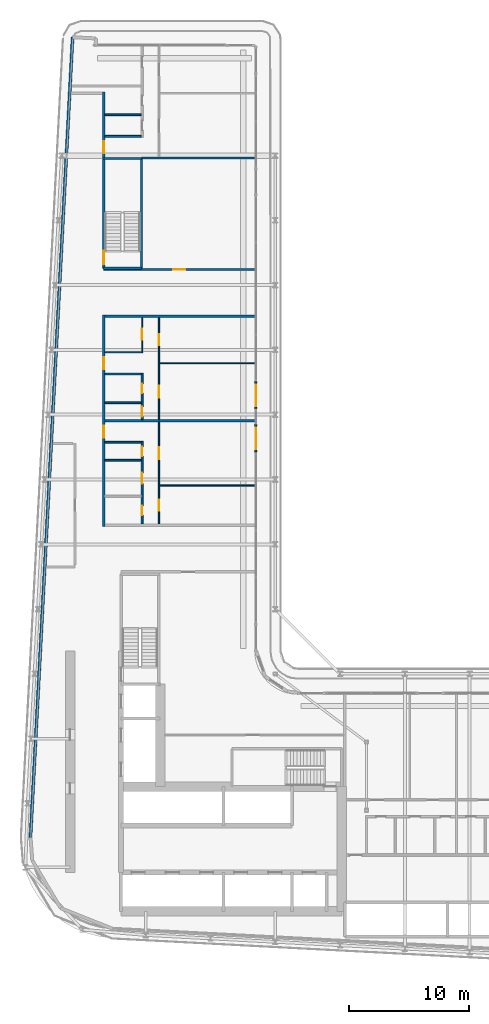
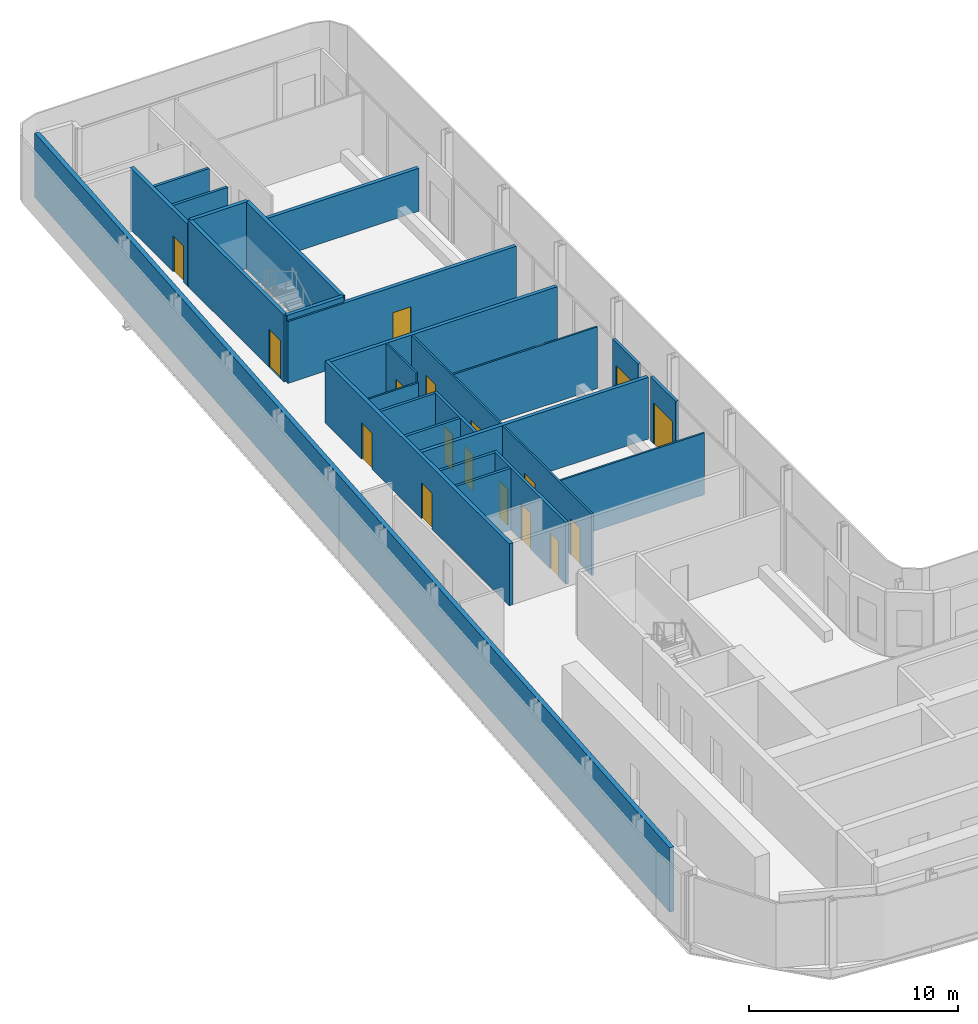
# One storey, part 17 of 27: 27 walls, 17 doors, 17 openings.
"""IFC4 building model written with IfcOpenShell, lengths in metres."""

from ifc_helpers import new_model, si_unit, direction, frame, frame_2d, origin, place, context, subcontext, project, spatial, rectangle, extrude, source, transform, mapped, material, layer, layer_set, type_object, element, fill, save


model = new_model("IFC4")

# Units and contexts
model_context = context("Model", 3, precision=1e-05, world=origin(), true_north=direction((0.0, 1.0)))
body_context = subcontext(model_context, "Body", "Model", "MODEL_VIEW")
ifc_project = project(units=[si_unit("LENGTHUNIT", "METRE"), si_unit("AREAUNIT", "SQUARE_METRE"), si_unit("VOLUMEUNIT", "CUBIC_METRE"), si_unit("PLANEANGLEUNIT", "RADIAN"), si_unit("MASSUNIT", "GRAM", prefix="KILO")], contexts=[model_context])

# Site, building, storey
site_placement = place(None, origin())
site = spatial("IfcSite", under=ifc_project, at=site_placement, CompositionType="ELEMENT")
building_placement = place(site_placement, origin())
building = spatial("IfcBuilding", under=site, at=building_placement, Name="Kheshtan School and Residences Tower", CompositionType="ELEMENT")
storey_placement = place(building_placement, frame((0.0, 0.0, 152.60009765625)))
storey = spatial("IfcBuildingStorey", under=building, at=storey_placement, Name="L35", CompositionType="ELEMENT", Elevation=152.60009765625)

# Wall, openings, doors
ifc_material_1 = material(Name="Gypsum board on steel studs with fire boards", Category="steel")
ifc_layer_1 = layer(ifc_material_1, 0.199951171875)
ifc_layer_set_1 = layer_set([ifc_layer_1], Name="Corridor wall 200")
wall_type_1 = type_object("IfcWallType", Name="Corridor wall 200", PredefinedType="PARTITIONING", material=ifc_layer_set_1)
wall_1_placement = place(storey_placement, frame((33.300048828125, 57.89990234375, 0.0), z_axis=(0.0, 0.0, 1.0), x_axis=(0.0, 1.0, 0.0)))
wall_1 = element("IfcWall", 1, at=wall_1_placement, inside=storey, type_object=wall_type_1, Name="Partition L35-003", PredefinedType="PARTITIONING", context=body_context, shape_type="SweptSolid", body=[
    extrude(rectangle(XDim=17.60009765625, YDim=0.199951171875, at=frame_2d((8.800048828125, 0.0))), origin(), (0.0, 0.0, 1.0), 3.599853515625),
])
opening_1_placement = place(wall_1_placement, frame((7.39990234375, 0.0, 0.0)))
opening_1 = element("IfcOpeningElement", 2, at=opening_1_placement, cuts=wall_1, Name="Opening D35-028", PredefinedType="OPENING", context=body_context, shape_type="SweptSolid", body=[
    extrude(rectangle(XDim=1.0, YDim=2.10009765625, at=frame_2d((0.5, 1.050048828125))), frame((0.0, 0.10986328125, 0.0), z_axis=(0.0, -1.0, 0.0), x_axis=(1.0, 0.0, 0.0)), (0.0, 0.0, 1.0), 0.219970703125),
])
opening_2_placement = place(wall_1_placement, frame((13.10009765625, 0.0, 0.0)))
opening_2 = element("IfcOpeningElement", 3, at=opening_2_placement, cuts=wall_1, Name="Opening D35-034", PredefinedType="OPENING", context=body_context, shape_type="SweptSolid", body=[
    extrude(rectangle(XDim=1.0, YDim=2.10009765625, at=frame_2d((0.5, 1.050048828125))), frame((0.0, 0.10986328125, 0.0), z_axis=(0.0, -1.0, 0.0), x_axis=(1.0, 0.0, 0.0)), (0.0, 0.0, 1.0), 0.219970703125),
])
ifc_material_2 = material(Name="Steel-framed fire-resisting door leaf", Category="steel")
door_type_1 = type_object("IfcDoorType", Name="Fire door FD30S 1000 x 2100", OperationType="SINGLE_SWING_LEFT", PredefinedType="DOOR", material=ifc_material_2)
shared_shape_1 = source(origin(), body_context, "Body", "SweptSolid", [
    extrude(rectangle(XDim=1.0, YDim=2.10009765625, at=frame_2d((0.5, 1.050048828125))), frame((0.0, 0.02490234375, 0.0), z_axis=(0.0, -1.0, 0.0), x_axis=(1.0, 0.0, 0.0)), (0.0, 0.0, 1.0), 0.050048828125),
])
door_1_placement = place(opening_1_placement, origin())
door_1 = element("IfcDoor", 4, at=door_1_placement, inside=storey, type_object=door_type_1, Name="Door D35-028", OperationType="SINGLE_SWING_LEFT", OverallHeight=2.10009765625, OverallWidth=1.0, PredefinedType="DOOR", context=body_context, shape_type="MappedRepresentation", body=[
    mapped(shared_shape_1, transform((0.0, 0.0, 0.0), x_axis=(1.0, 0.0, 0.0), y_axis=(0.0, 1.0, 0.0), z_axis=(0.0, 0.0, 1.0), scale=1.0)),
])
fill(opening_1, door_1)
door_2_placement = place(opening_2_placement, origin())
door_2 = element("IfcDoor", 5, at=door_2_placement, inside=storey, type_object=door_type_1, Name="Door D35-034", OperationType="SINGLE_SWING_RIGHT", OverallHeight=2.10009765625, OverallWidth=1.0, PredefinedType="DOOR", context=body_context, shape_type="MappedRepresentation", body=[
    mapped(shared_shape_1, transform((0.0, 0.0, 0.0), x_axis=(1.0, 0.0, 0.0), y_axis=(0.0, 1.0, 0.0), z_axis=(0.0, 0.0, 1.0), scale=1.0)),
])
fill(opening_2, door_2)

# Wall, opening, door
wall_2_placement = place(storey_placement, frame((33.300048828125, 79.300048828125, 0.0), z_axis=(0.0, 0.0, 1.0), x_axis=(1.0, 0.0, 0.0)))
wall_2 = element("IfcWall", 6, at=wall_2_placement, inside=storey, type_object=wall_type_1, Name="Partition L35-004", PredefinedType="PARTITIONING", context=body_context, shape_type="SweptSolid", body=[
    extrude(rectangle(XDim=12.599853515625, YDim=0.199951171875, at=frame_2d((6.2998046875, 0.0))), origin(), (0.0, 0.0, 1.0), 3.599853515625),
])
opening_3_placement = place(wall_2_placement, frame((5.794921875, 0.0, 0.0)))
opening_3 = element("IfcOpeningElement", 7, at=opening_3_placement, cuts=wall_2, Name="Opening D35-046", PredefinedType="OPENING", context=body_context, shape_type="SweptSolid", body=[
    extrude(rectangle(XDim=1.0, YDim=2.10009765625, at=frame_2d((0.5, 1.050048828125))), frame((0.0, 0.10986328125, 0.0), z_axis=(0.0, -1.0, 0.0), x_axis=(1.0, 0.0, 0.0)), (0.0, 0.0, 1.0), 0.219970703125),
])
door_type_2 = type_object("IfcDoorType", Name="Fire door FD60 1000 x 2100", OperationType="SINGLE_SWING_LEFT", PredefinedType="DOOR", material=ifc_material_2)
shared_shape_2 = source(origin(), body_context, "Body", "SweptSolid", [
    extrude(rectangle(XDim=1.0, YDim=2.10009765625, at=frame_2d((0.5, 1.050048828125))), frame((0.0, 0.02490234375, 0.0), z_axis=(0.0, -1.0, 0.0), x_axis=(1.0, 0.0, 0.0)), (0.0, 0.0, 1.0), 0.050048828125),
])
door_3_placement = place(opening_3_placement, origin())
door_3 = element("IfcDoor", 8, at=door_3_placement, inside=storey, type_object=door_type_2, Name="Door D35-046", OperationType="SINGLE_SWING_RIGHT", OverallHeight=2.10009765625, OverallWidth=1.0, PredefinedType="DOOR", context=body_context, shape_type="MappedRepresentation", body=[
    mapped(shared_shape_2, transform((0.0, 0.0, 0.0), x_axis=(1.0, 0.0, 0.0), y_axis=(0.0, 1.0, 0.0), z_axis=(0.0, 0.0, 1.0), scale=1.0)),
])
fill(opening_3, door_3)

wall_3_placement = place(storey_placement, frame((33.300048828125, 88.60009765625, 0.0), z_axis=(0.0, 0.0, 1.0), x_axis=(0.0, 1.0, 0.0)))
wall_3 = element("IfcWall", 9, at=wall_3_placement, inside=storey, type_object=wall_type_1, Name="Partition L35-005", PredefinedType="PARTITIONING", context=body_context, shape_type="SweptSolid", body=[
    extrude(rectangle(XDim=5.5, YDim=0.199951171875, at=frame_2d((2.75, 0.0))), origin(), (0.0, 0.0, 1.0), 3.599853515625),
])
opening_4_placement = place(wall_3_placement, frame((0.39990234375, 0.0, 0.0)))
opening_4 = element("IfcOpeningElement", 10, at=opening_4_placement, cuts=wall_3, Name="Opening D35-040", PredefinedType="OPENING", context=body_context, shape_type="SweptSolid", body=[
    extrude(rectangle(XDim=1.0, YDim=2.10009765625, at=frame_2d((0.5, 1.050048828125))), frame((0.0, 0.10986328125, 0.0), z_axis=(0.0, -1.0, 0.0), x_axis=(1.0, 0.0, 0.0)), (0.0, 0.0, 1.0), 0.219970703125),
])
door_4_placement = place(opening_4_placement, origin())
door_4 = element("IfcDoor", 11, at=door_4_placement, inside=storey, type_object=door_type_1, Name="Door D35-040", OperationType="SINGLE_SWING_LEFT", OverallHeight=2.10009765625, OverallWidth=1.0, PredefinedType="DOOR", context=body_context, shape_type="MappedRepresentation", body=[
    mapped(shared_shape_1, transform((0.0, 0.0, 0.0), x_axis=(1.0, 0.0, 0.0), y_axis=(0.0, 1.0, 0.0), z_axis=(0.0, 0.0, 1.0), scale=1.0)),
])
fill(opening_4, door_4)

# Walls
wall_4_placement = place(storey_placement, frame((33.39990234375, 75.39990234375, 0.0), z_axis=(0.0, 0.0, 1.0), x_axis=(1.0, 0.0, 0.0)))
element("IfcWall", 12, at=wall_4_placement, inside=storey, type_object=wall_type_1, Name="Partition L35-014", PredefinedType="PARTITIONING", context=body_context, shape_type="SweptSolid", body=[
    extrude(rectangle(XDim=12.5, YDim=0.199951171875, at=frame_2d((6.25, 0.0))), origin(), (0.0, 0.0, 1.0), 3.599853515625),
])
ifc_material_3 = material(Name="Concrete C40/50 with ceramic cladding and mineral wool insulation", Category="concrete")
ifc_layer_2 = layer(ifc_material_3, 0.25)
ifc_layer_set_2 = layer_set([ifc_layer_2], Name="External wall 250 ceramic clad")
wall_type_2 = type_object("IfcWallType", Name="External wall 250 ceramic clad", PredefinedType="SOLIDWALL", material=ifc_layer_set_2)
wall_5_placement = place(storey_placement, frame((27.195068359375, 31.968994140625, 0.0), z_axis=(0.0, 0.0, 1.0), x_axis=(0.052554995867, 0.998618031286, 0.0)))
element("IfcWall", 13, at=wall_5_placement, inside=storey, type_object=wall_type_2, Name="External wall L35 4", PredefinedType="SOLIDWALL", context=body_context, shape_type="SweptSolid", body=[
    extrude(rectangle(XDim=66.787353515625, YDim=0.25, at=frame_2d((33.3935546875, 0.0))), origin(), (0.0, 0.0, 1.0), 3.75),
])

# Wall, opening, door
ifc_material_4 = material(Name="Aluminium frame wall with insulated infill", Category="aluminium")
ifc_layer_3 = layer(ifc_material_4, 0.14990234375)
ifc_layer_set_3 = layer_set([ifc_layer_3], Name="Glazing frame wall 150")
wall_type_3 = type_object("IfcWallType", Name="Glazing frame wall 150", PredefinedType="SOLIDWALL", material=ifc_layer_set_3)
wall_6_placement = place(storey_placement, frame((45.97509765625, 70.01806640625, 0.0), z_axis=(0.0, 0.0, 1.0), x_axis=(0.0, -1.0, 0.0)))
wall_6 = element("IfcWall", 14, at=wall_6_placement, inside=storey, type_object=wall_type_3, Name="Balcony door wall L35 8.3", PredefinedType="SOLIDWALL", context=body_context, shape_type="SweptSolid", body=[
    extrude(rectangle(XDim=2.400146484375, YDim=0.14990234375, at=frame_2d((1.2001953125, 0.0))), origin(), (0.0, 0.0, 1.0), 3.75),
])
opening_5_placement = place(wall_6_placement, frame((0.300048828125, 0.0, 0.0)))
opening_5 = element("IfcOpeningElement", 15, at=opening_5_placement, cuts=wall_6, Name="Opening BD", PredefinedType="OPENING", context=body_context, shape_type="SweptSolid", body=[
    extrude(rectangle(XDim=1.800048828125, YDim=2.39990234375, at=frame_2d((0.89990234375, 1.199951171875))), frame((0.0, 0.0849609375, 0.0), z_axis=(0.0, -1.0, 0.0), x_axis=(1.0, 0.0, 0.0)), (0.0, 0.0, 1.0), 0.169921875),
])
ifc_material_5 = material(Name="Clear low-e glass in thermally broken aluminium frame", Category="aluminium")
door_type_3 = type_object("IfcDoorType", Name="Balcony sliding door", OperationType="SLIDING_TO_LEFT", PredefinedType="DOOR", material=ifc_material_5)
shared_shape_3 = source(origin(), body_context, "Body", "SweptSolid", [
    extrude(rectangle(XDim=1.800048828125, YDim=2.39990234375, at=frame_2d((0.89990234375, 1.199951171875))), frame((0.0, 0.02490234375, 0.0), z_axis=(0.0, -1.0, 0.0), x_axis=(1.0, 0.0, 0.0)), (0.0, 0.0, 1.0), 0.050048828125),
])
door_5_placement = place(opening_5_placement, origin())
door_5 = element("IfcDoor", 16, at=door_5_placement, inside=storey, type_object=door_type_3, Name="Balcony door L35 8.3", OperationType="SLIDING_TO_LEFT", OverallHeight=2.39990234375, OverallWidth=1.800048828125, PredefinedType="DOOR", context=body_context, shape_type="MappedRepresentation", body=[
    mapped(shared_shape_3, transform((0.0, 0.0, 0.0), x_axis=(1.0, 0.0, 0.0), y_axis=(0.0, 1.0, 0.0), z_axis=(0.0, 0.0, 1.0), scale=1.0)),
])
fill(opening_5, door_5)

wall_7_placement = place(storey_placement, frame((45.97509765625, 66.41796875, 0.0), z_axis=(0.0, 0.0, 1.0), x_axis=(0.0, -1.0, 0.0)))
wall_7 = element("IfcWall", 17, at=wall_7_placement, inside=storey, type_object=wall_type_3, Name="Balcony door wall L35 8.4", PredefinedType="SOLIDWALL", context=body_context, shape_type="SweptSolid", body=[
    extrude(rectangle(XDim=2.39990234375, YDim=0.14990234375, at=frame_2d((1.199951171875, 0.0))), origin(), (0.0, 0.0, 1.0), 3.75),
])
opening_6_placement = place(wall_7_placement, frame((0.300048828125, 0.0, 0.0)))
opening_6 = element("IfcOpeningElement", 18, at=opening_6_placement, cuts=wall_7, Name="Opening BD", PredefinedType="OPENING", context=body_context, shape_type="SweptSolid", body=[
    extrude(rectangle(XDim=1.800048828125, YDim=2.39990234375, at=frame_2d((0.89990234375, 1.199951171875))), frame((0.0, 0.0849609375, 0.0), z_axis=(0.0, -1.0, 0.0), x_axis=(1.0, 0.0, 0.0)), (0.0, 0.0, 1.0), 0.169921875),
])
door_6_placement = place(opening_6_placement, origin())
door_6 = element("IfcDoor", 19, at=door_6_placement, inside=storey, type_object=door_type_3, Name="Balcony door L35 8.4", OperationType="SLIDING_TO_LEFT", OverallHeight=2.39990234375, OverallWidth=1.800048828125, PredefinedType="DOOR", context=body_context, shape_type="MappedRepresentation", body=[
    mapped(shared_shape_3, transform((0.0, 0.0, 0.0), x_axis=(1.0, 0.0, 0.0), y_axis=(0.0, 1.0, 0.0), z_axis=(0.0, 0.0, 1.0), scale=1.0)),
])
fill(opening_6, door_6)

# Wall
ifc_material_6 = material(Name="Gypsum board on steel studs", Category="steel")
ifc_layer_4 = layer(ifc_material_6, 0.10009765625)
ifc_layer_set_4 = layer_set([ifc_layer_4], Name="Gypsum partition 100")
wall_type_4 = type_object("IfcWallType", Name="Gypsum partition 100", PredefinedType="PARTITIONING", material=ifc_layer_set_4)
wall_8_placement = place(storey_placement, frame((33.39990234375, 72.39990234375, 0.0), z_axis=(0.0, 0.0, 1.0), x_axis=(1.0, 0.0, 0.0)))
element("IfcWall", 20, at=wall_8_placement, inside=storey, type_object=wall_type_4, Name="Partition L35-013", PredefinedType="PARTITIONING", context=body_context, shape_type="SweptSolid", body=[
    extrude(rectangle(XDim=3.150146484375, YDim=0.10009765625, at=frame_2d((1.5751953125, 0.0))), origin(), (0.0, 0.0, 1.0), 3.072021484375),
])

# Wall, opening, door
wall_9_placement = place(storey_placement, frame((36.5, 72.449951171875, 0.0), z_axis=(0.0, 0.0, 1.0), x_axis=(0.0, 1.0, 0.0)))
wall_9 = element("IfcWall", 21, at=wall_9_placement, inside=storey, type_object=wall_type_4, Name="Partition L35-020", PredefinedType="PARTITIONING", context=body_context, shape_type="SweptSolid", body=[
    extrude(rectangle(XDim=2.85009765625, YDim=0.10009765625, at=frame_2d((1.425048828125, 0.0))), origin(), (0.0, 0.0, 1.0), 3.599853515625),
])
opening_7_placement = place(wall_9_placement, frame((1.0, 0.0, 0.0)))
opening_7 = element("IfcOpeningElement", 22, at=opening_7_placement, cuts=wall_9, Name="Opening D35-035", PredefinedType="OPENING", context=body_context, shape_type="SweptSolid", body=[
    extrude(rectangle(XDim=0.89990234375, YDim=2.10009765625, at=frame_2d((0.449951171875, 1.050048828125))), frame((0.0, 0.06005859375, 0.0), z_axis=(0.0, -1.0, 0.0), x_axis=(1.0, 0.0, 0.0)), (0.0, 0.0, 1.0), 0.1201171875),
])
ifc_material_7 = material(Name="Veneered timber door leaf", Category="wood")
door_type_4 = type_object("IfcDoorType", Name="Door 900 x 2100", OperationType="SINGLE_SWING_LEFT", PredefinedType="DOOR", material=ifc_material_7)
shared_shape_4 = source(origin(), body_context, "Body", "SweptSolid", [
    extrude(rectangle(XDim=0.89990234375, YDim=2.10009765625, at=frame_2d((0.449951171875, 1.050048828125))), frame((0.0, 0.02490234375, 0.0), z_axis=(0.0, -1.0, 0.0), x_axis=(1.0, 0.0, 0.0)), (0.0, 0.0, 1.0), 0.050048828125),
])
door_7_placement = place(opening_7_placement, origin())
door_7 = element("IfcDoor", 23, at=door_7_placement, inside=storey, type_object=door_type_4, Name="Door D35-035", OperationType="SINGLE_SWING_RIGHT", OverallHeight=2.10009765625, OverallWidth=0.89990234375, PredefinedType="DOOR", context=body_context, shape_type="MappedRepresentation", body=[
    mapped(shared_shape_4, transform((0.0, 0.0, 0.0), x_axis=(1.0, 0.0, 0.0), y_axis=(0.0, 1.0, 0.0), z_axis=(0.0, 0.0, 1.0), scale=1.0)),
])
fill(opening_7, door_7)

# Wall, openings, doors
wall_10_placement = place(storey_placement, frame((37.89990234375, 58.10009765625, 0.0), z_axis=(0.0, 0.0, 1.0), x_axis=(0.0, 1.0, 0.0)))
wall_10 = element("IfcWall", 24, at=wall_10_placement, inside=storey, type_object=wall_type_4, Name="Partition L35-023", PredefinedType="PARTITIONING", context=body_context, shape_type="SweptSolid", body=[
    extrude(rectangle(XDim=8.5, YDim=0.10009765625, at=frame_2d((4.25, 0.0))), origin(), (0.0, 0.0, 1.0), 3.599853515625),
])
opening_8_placement = place(wall_10_placement, frame((1.10009765625, 0.0, 0.0)))
opening_8 = element("IfcOpeningElement", 25, at=opening_8_placement, cuts=wall_10, Name="Opening D35-027", PredefinedType="OPENING", context=body_context, shape_type="SweptSolid", body=[
    extrude(rectangle(XDim=0.89990234375, YDim=2.10009765625, at=frame_2d((0.449951171875, 1.050048828125))), frame((0.0, 0.06005859375, 0.0), z_axis=(0.0, -1.0, 0.0), x_axis=(1.0, 0.0, 0.0)), (0.0, 0.0, 1.0), 0.1201171875),
])
opening_9_placement = place(wall_10_placement, frame((5.39990234375, 0.0, 0.0)))
opening_9 = element("IfcOpeningElement", 26, at=opening_9_placement, cuts=wall_10, Name="Opening D35-030", PredefinedType="OPENING", context=body_context, shape_type="SweptSolid", body=[
    extrude(rectangle(XDim=1.0, YDim=2.10009765625, at=frame_2d((0.5, 1.050048828125))), frame((0.0, 0.06005859375, 0.0), z_axis=(0.0, -1.0, 0.0), x_axis=(1.0, 0.0, 0.0)), (0.0, 0.0, 1.0), 0.1201171875),
])
door_type_5 = type_object("IfcDoorType", Name="Door 1000 x 2100", OperationType="SINGLE_SWING_LEFT", PredefinedType="DOOR", material=ifc_material_7)
shared_shape_5 = source(origin(), body_context, "Body", "SweptSolid", [
    extrude(rectangle(XDim=1.0, YDim=2.10009765625, at=frame_2d((0.5, 1.050048828125))), frame((0.0, 0.02490234375, 0.0), z_axis=(0.0, -1.0, 0.0), x_axis=(1.0, 0.0, 0.0)), (0.0, 0.0, 1.0), 0.050048828125),
])
door_8_placement = place(opening_9_placement, origin())
door_8 = element("IfcDoor", 27, at=door_8_placement, inside=storey, type_object=door_type_5, Name="Door D35-030", OperationType="SINGLE_SWING_RIGHT", OverallHeight=2.10009765625, OverallWidth=1.0, PredefinedType="DOOR", context=body_context, shape_type="MappedRepresentation", body=[
    mapped(shared_shape_5, transform((0.0, 0.0, 0.0), x_axis=(1.0, 0.0, 0.0), y_axis=(0.0, 1.0, 0.0), z_axis=(0.0, 0.0, 1.0), scale=1.0)),
])
fill(opening_9, door_8)
door_9_placement = place(opening_8_placement, origin())
door_9 = element("IfcDoor", 28, at=door_9_placement, inside=storey, type_object=door_type_4, Name="Door D35-027", OperationType="SINGLE_SWING_LEFT", OverallHeight=2.10009765625, OverallWidth=0.89990234375, PredefinedType="DOOR", context=body_context, shape_type="MappedRepresentation", body=[
    mapped(shared_shape_4, transform((0.0, 0.0, 0.0), x_axis=(1.0, 0.0, 0.0), y_axis=(0.0, 1.0, 0.0), z_axis=(0.0, 0.0, 1.0), scale=1.0)),
])
fill(opening_8, door_9)

wall_11_placement = place(storey_placement, frame((37.89990234375, 66.800048828125, 0.0), z_axis=(0.0, 0.0, 1.0), x_axis=(0.0, 1.0, 0.0)))
wall_11 = element("IfcWall", 29, at=wall_11_placement, inside=storey, type_object=wall_type_4, Name="Partition L35-024", PredefinedType="PARTITIONING", context=body_context, shape_type="SweptSolid", body=[
    extrude(rectangle(XDim=8.5, YDim=0.10009765625, at=frame_2d((4.25, 0.0))), origin(), (0.0, 0.0, 1.0), 3.599853515625),
])
opening_10_placement = place(wall_11_placement, frame((6.199951171875, 0.0, 0.0)))
opening_10 = element("IfcOpeningElement", 30, at=opening_10_placement, cuts=wall_11, Name="Opening D35-033", PredefinedType="OPENING", context=body_context, shape_type="SweptSolid", body=[
    extrude(rectangle(XDim=0.89990234375, YDim=2.10009765625, at=frame_2d((0.449951171875, 1.050048828125))), frame((0.0, 0.06005859375, 0.0), z_axis=(0.0, -1.0, 0.0), x_axis=(1.0, 0.0, 0.0)), (0.0, 0.0, 1.0), 0.1201171875),
])
opening_11_placement = place(wall_11_placement, frame((1.800048828125, 0.0, 0.0)))
opening_11 = element("IfcOpeningElement", 31, at=opening_11_placement, cuts=wall_11, Name="Opening D35-036", PredefinedType="OPENING", context=body_context, shape_type="SweptSolid", body=[
    extrude(rectangle(XDim=1.0, YDim=2.10009765625, at=frame_2d((0.5, 1.050048828125))), frame((0.0, 0.06005859375, 0.0), z_axis=(0.0, -1.0, 0.0), x_axis=(1.0, 0.0, 0.0)), (0.0, 0.0, 1.0), 0.1201171875),
])
door_10_placement = place(opening_11_placement, origin())
door_10 = element("IfcDoor", 32, at=door_10_placement, inside=storey, type_object=door_type_5, Name="Door D35-036", OperationType="SINGLE_SWING_RIGHT", OverallHeight=2.10009765625, OverallWidth=1.0, PredefinedType="DOOR", context=body_context, shape_type="MappedRepresentation", body=[
    mapped(shared_shape_5, transform((0.0, 0.0, 0.0), x_axis=(1.0, 0.0, 0.0), y_axis=(0.0, 1.0, 0.0), z_axis=(0.0, 0.0, 1.0), scale=1.0)),
])
fill(opening_11, door_10)
door_11_placement = place(opening_10_placement, origin())
door_11 = element("IfcDoor", 33, at=door_11_placement, inside=storey, type_object=door_type_4, Name="Door D35-033", OperationType="SINGLE_SWING_RIGHT", OverallHeight=2.10009765625, OverallWidth=0.89990234375, PredefinedType="DOOR", context=body_context, shape_type="MappedRepresentation", body=[
    mapped(shared_shape_4, transform((0.0, 0.0, 0.0), x_axis=(1.0, 0.0, 0.0), y_axis=(0.0, 1.0, 0.0), z_axis=(0.0, 0.0, 1.0), scale=1.0)),
])
fill(opening_10, door_11)

# Walls
for number, where, z_axis, x_axis, name in (
    (34, (37.949951171875, 61.300048828125, 0.0), (0.0, 0.0, 1.0), (1.0, 0.0, 0.0), "Partition L35-026"),
    (35, (37.949951171875, 71.5, 0.0), (0.0, 0.0, 1.0), (1.0, 0.0, 0.0), "Partition L35-027"),
):
    element("IfcWall", number, at=place(storey_placement, frame(where, z_axis=z_axis, x_axis=x_axis)), inside=storey, type_object=wall_type_4, Name=name, PredefinedType="PARTITIONING", context=body_context, shape_type="SweptSolid", body=[
        extrude(rectangle(XDim=7.949951171875, YDim=0.10009765625, at=frame_2d((3.97509765625, 0.0))), origin(), (0.0, 0.0, 1.0), 3.599853515625),
    ])
ifc_material_8 = material(Name="Concrete C40/50", Category="concrete")
ifc_layer_5 = layer(ifc_material_8, 0.199951171875)
ifc_layer_set_5 = layer_set([ifc_layer_5], Name="Stair enclosure wall 200 Concrete C40/50")
wall_type_5 = type_object("IfcWallType", Name="Stair enclosure wall 200 Concrete C40/50", PredefinedType="SHEAR", material=ifc_layer_set_5)
for number, where, z_axis, x_axis, name in (
    (36, (33.300048828125, 79.39990234375, 0.0), (0.0, 0.0, 1.0), (1.0, 0.0, 0.0), "Stair enclosure wall ST3"),
    (37, (33.300048828125, 88.56005859375, 0.0), (0.0, 0.0, 1.0), (1.0, 0.0, 0.0), "Stair enclosure wall ST3"),
):
    element("IfcWall", number, at=place(storey_placement, frame(where, z_axis=z_axis, x_axis=x_axis)), inside=storey, type_object=wall_type_5, Name=name, PredefinedType="SHEAR", context=body_context, shape_type="SweptSolid", body=[
        extrude(rectangle(XDim=3.14990234375, YDim=0.199951171875, at=frame_2d((1.574951171875, 0.0))), origin(), (0.0, 0.0, 1.0), 3.89990234375),
    ])

# Wall, opening, door
wall_12_placement = place(storey_placement, frame((33.300048828125, 79.39990234375, 0.0), z_axis=(0.0, 0.0, 1.0), x_axis=(0.0, 1.0, 0.0)))
wall_12 = element("IfcWall", 38, at=wall_12_placement, inside=storey, type_object=wall_type_5, Name="Stair enclosure wall ST3", PredefinedType="SHEAR", context=body_context, shape_type="SweptSolid", body=[
    extrude(rectangle(XDim=9.16015625, YDim=0.199951171875, at=frame_2d((4.580078125, 0.0))), origin(), (0.0, 0.0, 1.0), 3.89990234375),
])
opening_12_placement = place(wall_12_placement, frame((0.35009765625, 0.0, 0.0)))
opening_12 = element("IfcOpeningElement", 39, at=opening_12_placement, cuts=wall_12, Name="Opening ST3D", PredefinedType="OPENING", context=body_context, shape_type="SweptSolid", body=[
    extrude(rectangle(XDim=1.10009765625, YDim=2.199951171875, at=frame_2d((0.550048828125, 1.10009765625))), frame((0.0, 0.10986328125, 0.0), z_axis=(0.0, -1.0, 0.0), x_axis=(1.0, 0.0, 0.0)), (0.0, 0.0, 1.0), 0.219970703125),
])
ifc_material_9 = material(Name="Steel door leaf, galvanised", Category="steel")
door_type_6 = type_object("IfcDoorType", Name="Stair door 1100 steel 90 min", OperationType="SINGLE_SWING_LEFT", PredefinedType="DOOR", material=ifc_material_9)
shared_shape_6 = source(origin(), body_context, "Body", "SweptSolid", [
    extrude(rectangle(XDim=1.10009765625, YDim=2.199951171875, at=frame_2d((0.550048828125, 1.10009765625))), frame((0.0, 0.02490234375, 0.0), z_axis=(0.0, -1.0, 0.0), x_axis=(1.0, 0.0, 0.0)), (0.0, 0.0, 1.0), 0.050048828125),
])
door_12_placement = place(opening_12_placement, origin())
door_12 = element("IfcDoor", 40, at=door_12_placement, inside=storey, type_object=door_type_6, Name="Stair ST3 door", OperationType="SINGLE_SWING_RIGHT", OverallHeight=2.199951171875, OverallWidth=1.10009765625, PredefinedType="DOOR", context=body_context, shape_type="MappedRepresentation", body=[
    mapped(shared_shape_6, transform((0.0, 0.0, 0.0), x_axis=(1.0, 0.0, 0.0), y_axis=(0.0, 1.0, 0.0), z_axis=(0.0, 0.0, 1.0), scale=1.0)),
])
fill(opening_12, door_12)

# Walls
wall_13_placement = place(storey_placement, frame((36.449951171875, 79.39990234375, 0.0), z_axis=(0.0, 0.0, 1.0), x_axis=(0.0, 1.0, 0.0)))
element("IfcWall", 41, at=wall_13_placement, inside=storey, type_object=wall_type_5, Name="Stair enclosure wall ST3", PredefinedType="SHEAR", context=body_context, shape_type="SweptSolid", body=[
    extrude(rectangle(XDim=9.16015625, YDim=0.199951171875, at=frame_2d((4.580078125, 0.0))), origin(), (0.0, 0.0, 1.0), 3.89990234375),
])
ifc_material_10 = material(Name="Twin gypsum board on steel studs with mineral wool", Category="steel")
ifc_layer_6 = layer(ifc_material_10, 0.199951171875)
ifc_layer_set_6 = layer_set([ifc_layer_6], Name="Unit demising wall 200")
wall_type_6 = type_object("IfcWallType", Name="Unit demising wall 200", PredefinedType="PARTITIONING", material=ifc_layer_set_6)
wall_14_placement = place(storey_placement, frame((33.39990234375, 66.699951171875, 0.0), z_axis=(0.0, 0.0, 1.0), x_axis=(1.0, 0.0, 0.0)))
element("IfcWall", 42, at=wall_14_placement, inside=storey, type_object=wall_type_6, Name="Partition L35-010", PredefinedType="PARTITIONING", context=body_context, shape_type="SweptSolid", body=[
    extrude(rectangle(XDim=12.5, YDim=0.199951171875, at=frame_2d((6.25, 0.0))), origin(), (0.0, 0.0, 1.0), 3.599853515625),
])
wall_15_placement = place(storey_placement, frame((36.449951171875, 88.60009765625, 0.0), z_axis=(0.0, 0.0, 1.0), x_axis=(1.0, 0.0, 0.0)))
element("IfcWall", 43, at=wall_15_placement, inside=storey, type_object=wall_type_6, Name="Partition L35-021", PredefinedType="PARTITIONING", context=body_context, shape_type="SweptSolid", body=[
    extrude(rectangle(XDim=9.449951171875, YDim=0.199951171875, at=frame_2d((4.72509765625, 0.0))), origin(), (0.0, 0.0, 1.0), 2.5),
])
ifc_material_11 = material(Name="Moisture-resistant gypsum board on steel studs", Category="steel")
ifc_layer_7 = layer(ifc_material_11, 0.14990234375)
ifc_layer_set_7 = layer_set([ifc_layer_7], Name="Wet-room partition 150")
wall_type_7 = type_object("IfcWallType", Name="Wet-room partition 150", PredefinedType="PARTITIONING", material=ifc_layer_set_7)
for number, where, z_axis, x_axis, name in (
    (44, (33.39990234375, 63.39990234375, 0.0), (0.0, 0.0, 1.0), (1.0, 0.0, 0.0), "Partition L35-008"),
    (45, (33.39990234375, 64.89990234375, 0.0), (0.0, 0.0, 1.0), (1.0, 0.0, 0.0), "Partition L35-009"),
    (46, (33.39990234375, 68.199951171875, 0.0), (0.0, 0.0, 1.0), (1.0, 0.0, 0.0), "Partition L35-011"),
    (47, (33.39990234375, 70.60009765625, 0.0), (0.0, 0.0, 1.0), (1.0, 0.0, 0.0), "Partition L35-012"),
    (48, (33.39990234375, 90.39990234375, 0.0), (0.0, 0.0, 1.0), (1.0, 0.0, 0.0), "Partition L35-015"),
    (49, (33.39990234375, 92.199951171875, 0.0), (0.0, 0.0, 1.0), (1.0, 0.0, 0.0), "Partition L35-016"),
):
    element("IfcWall", number, at=place(storey_placement, frame(where, z_axis=z_axis, x_axis=x_axis)), inside=storey, type_object=wall_type_7, Name=name, PredefinedType="PARTITIONING", context=body_context, shape_type="SweptSolid", body=[
        extrude(rectangle(XDim=3.025146484375, YDim=0.14990234375, at=frame_2d((1.5126953125, 0.0))), origin(), (0.0, 0.0, 1.0), 3.599853515625),
    ])

# Wall, openings, doors
wall_16_placement = place(storey_placement, frame((36.5, 58.10009765625, 0.0), z_axis=(0.0, 0.0, 1.0), x_axis=(0.0, 1.0, 0.0)))
wall_16 = element("IfcWall", 50, at=wall_16_placement, inside=storey, type_object=wall_type_7, Name="Partition L35-018", PredefinedType="PARTITIONING", context=body_context, shape_type="SweptSolid", body=[
    extrude(rectangle(XDim=6.875, YDim=0.14990234375, at=frame_2d((3.4375, 0.0))), origin(), (0.0, 0.0, 1.0), 3.599853515625),
])
opening_13_placement = place(wall_16_placement, frame((0.699951171875, 0.0, 0.0)))
opening_13 = element("IfcOpeningElement", 51, at=opening_13_placement, cuts=wall_16, Name="Opening D35-026", PredefinedType="OPENING", context=body_context, shape_type="SweptSolid", body=[
    extrude(rectangle(XDim=0.800048828125, YDim=2.10009765625, at=frame_2d((0.39990234375, 1.050048828125))), frame((0.0, 0.0849609375, 0.0), z_axis=(0.0, -1.0, 0.0), x_axis=(1.0, 0.0, 0.0)), (0.0, 0.0, 1.0), 0.169921875),
])
opening_14_placement = place(wall_16_placement, frame((3.35009765625, 0.0, 0.0)))
opening_14 = element("IfcOpeningElement", 52, at=opening_14_placement, cuts=wall_16, Name="Opening D35-029", PredefinedType="OPENING", context=body_context, shape_type="SweptSolid", body=[
    extrude(rectangle(XDim=0.89990234375, YDim=2.10009765625, at=frame_2d((0.449951171875, 1.050048828125))), frame((0.0, 0.0849609375, 0.0), z_axis=(0.0, -1.0, 0.0), x_axis=(1.0, 0.0, 0.0)), (0.0, 0.0, 1.0), 0.169921875),
])
opening_15_placement = place(wall_16_placement, frame((5.64990234375, 0.0, 0.0)))
opening_15 = element("IfcOpeningElement", 53, at=opening_15_placement, cuts=wall_16, Name="Opening D35-031", PredefinedType="OPENING", context=body_context, shape_type="SweptSolid", body=[
    extrude(rectangle(XDim=0.800048828125, YDim=2.10009765625, at=frame_2d((0.39990234375, 1.050048828125))), frame((0.0, 0.0849609375, 0.0), z_axis=(0.0, -1.0, 0.0), x_axis=(1.0, 0.0, 0.0)), (0.0, 0.0, 1.0), 0.169921875),
])
door_type_7 = type_object("IfcDoorType", Name="Door 800 x 2100", OperationType="SINGLE_SWING_LEFT", PredefinedType="DOOR", material=ifc_material_7)
shared_shape_7 = source(origin(), body_context, "Body", "SweptSolid", [
    extrude(rectangle(XDim=0.800048828125, YDim=2.10009765625, at=frame_2d((0.39990234375, 1.050048828125))), frame((0.0, 0.02490234375, 0.0), z_axis=(0.0, -1.0, 0.0), x_axis=(1.0, 0.0, 0.0)), (0.0, 0.0, 1.0), 0.050048828125),
])
door_13_placement = place(opening_13_placement, origin())
door_13 = element("IfcDoor", 54, at=door_13_placement, inside=storey, type_object=door_type_7, Name="Door D35-026", OperationType="SINGLE_SWING_LEFT", OverallHeight=2.10009765625, OverallWidth=0.800048828125, PredefinedType="DOOR", context=body_context, shape_type="MappedRepresentation", body=[
    mapped(shared_shape_7, transform((0.0, 0.0, 0.0), x_axis=(1.0, 0.0, 0.0), y_axis=(0.0, 1.0, 0.0), z_axis=(0.0, 0.0, 1.0), scale=1.0)),
])
fill(opening_13, door_13)
door_14_placement = place(opening_15_placement, origin())
door_14 = element("IfcDoor", 55, at=door_14_placement, inside=storey, type_object=door_type_7, Name="Door D35-031", OperationType="SINGLE_SWING_RIGHT", OverallHeight=2.10009765625, OverallWidth=0.800048828125, PredefinedType="DOOR", context=body_context, shape_type="MappedRepresentation", body=[
    mapped(shared_shape_7, transform((0.0, 0.0, 0.0), x_axis=(1.0, 0.0, 0.0), y_axis=(0.0, 1.0, 0.0), z_axis=(0.0, 0.0, 1.0), scale=1.0)),
])
fill(opening_15, door_14)
door_15_placement = place(opening_14_placement, origin())
door_15 = element("IfcDoor", 56, at=door_15_placement, inside=storey, type_object=door_type_4, Name="Door D35-029", OperationType="SINGLE_SWING_RIGHT", OverallHeight=2.10009765625, OverallWidth=0.89990234375, PredefinedType="DOOR", context=body_context, shape_type="MappedRepresentation", body=[
    mapped(shared_shape_4, transform((0.0, 0.0, 0.0), x_axis=(1.0, 0.0, 0.0), y_axis=(0.0, 1.0, 0.0), z_axis=(0.0, 0.0, 1.0), scale=1.0)),
])
fill(opening_14, door_15)

wall_17_placement = place(storey_placement, frame((36.5, 66.800048828125, 0.0), z_axis=(0.0, 0.0, 1.0), x_axis=(0.0, 1.0, 0.0)))
wall_17 = element("IfcWall", 57, at=wall_17_placement, inside=storey, type_object=wall_type_7, Name="Partition L35-019", PredefinedType="PARTITIONING", context=body_context, shape_type="SweptSolid", body=[
    extrude(rectangle(XDim=3.875, YDim=0.14990234375, at=frame_2d((1.9375, 0.0))), origin(), (0.0, 0.0, 1.0), 3.599853515625),
])
opening_16_placement = place(wall_17_placement, frame((2.199951171875, 0.0, 0.0)))
opening_16 = element("IfcOpeningElement", 58, at=opening_16_placement, cuts=wall_17, Name="Opening D35-032", PredefinedType="OPENING", context=body_context, shape_type="SweptSolid", body=[
    extrude(rectangle(XDim=0.800048828125, YDim=2.10009765625, at=frame_2d((0.39990234375, 1.050048828125))), frame((0.0, 0.0849609375, 0.0), z_axis=(0.0, -1.0, 0.0), x_axis=(1.0, 0.0, 0.0)), (0.0, 0.0, 1.0), 0.169921875),
])
opening_17_placement = place(wall_17_placement, frame((0.25, 0.0, 0.0)))
opening_17 = element("IfcOpeningElement", 59, at=opening_17_placement, cuts=wall_17, Name="Opening D35-037", PredefinedType="OPENING", context=body_context, shape_type="SweptSolid", body=[
    extrude(rectangle(XDim=0.800048828125, YDim=2.10009765625, at=frame_2d((0.39990234375, 1.050048828125))), frame((0.0, 0.0849609375, 0.0), z_axis=(0.0, -1.0, 0.0), x_axis=(1.0, 0.0, 0.0)), (0.0, 0.0, 1.0), 0.169921875),
])
door_16_placement = place(opening_16_placement, origin())
door_16 = element("IfcDoor", 60, at=door_16_placement, inside=storey, type_object=door_type_7, Name="Door D35-032", OperationType="SINGLE_SWING_RIGHT", OverallHeight=2.10009765625, OverallWidth=0.800048828125, PredefinedType="DOOR", context=body_context, shape_type="MappedRepresentation", body=[
    mapped(shared_shape_7, transform((0.0, 0.0, 0.0), x_axis=(1.0, 0.0, 0.0), y_axis=(0.0, 1.0, 0.0), z_axis=(0.0, 0.0, 1.0), scale=1.0)),
])
fill(opening_16, door_16)
door_17_placement = place(opening_17_placement, origin())
door_17 = element("IfcDoor", 61, at=door_17_placement, inside=storey, type_object=door_type_7, Name="Door D35-037", OperationType="SINGLE_SWING_RIGHT", OverallHeight=2.10009765625, OverallWidth=0.800048828125, PredefinedType="DOOR", context=body_context, shape_type="MappedRepresentation", body=[
    mapped(shared_shape_7, transform((0.0, 0.0, 0.0), x_axis=(1.0, 0.0, 0.0), y_axis=(0.0, 1.0, 0.0), z_axis=(0.0, 0.0, 1.0), scale=1.0)),
])
fill(opening_17, door_17)

save(model, "model.ifc")
